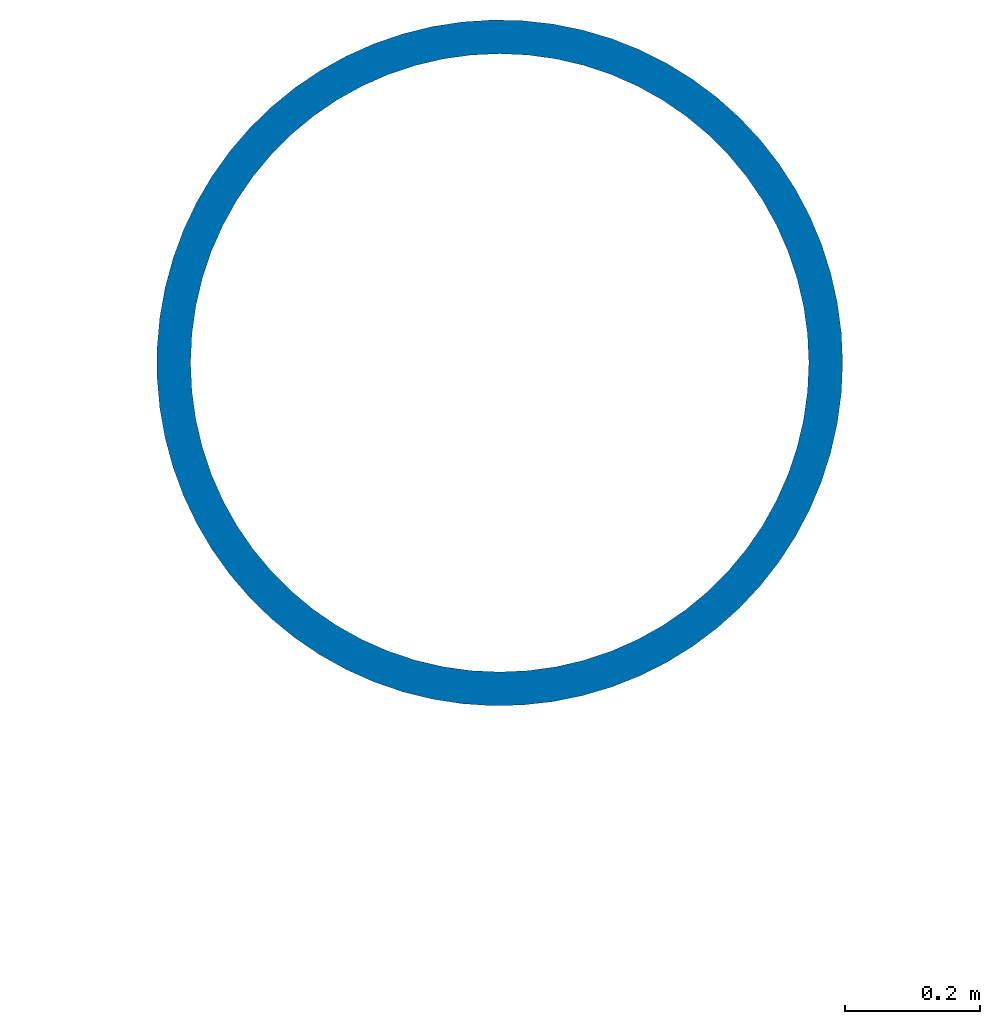
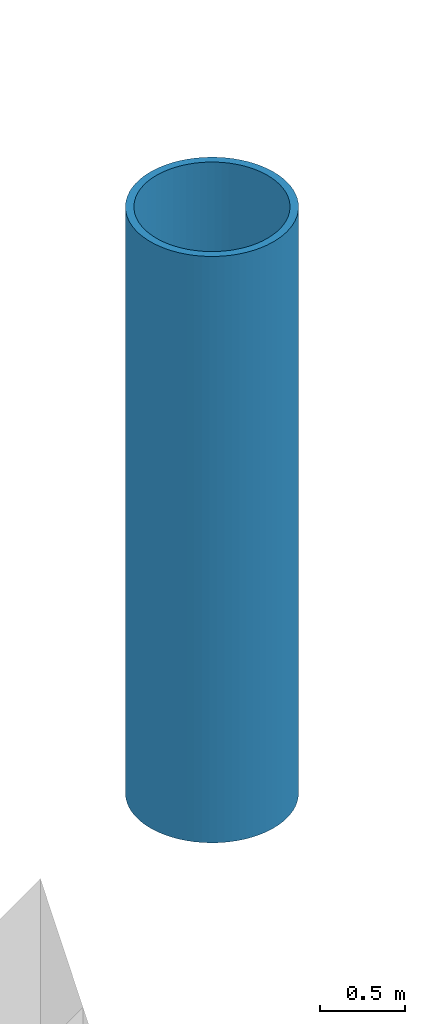
# One storey, part 10 of 96: 1 column.
"""IFC4 building model written with IfcOpenShell, lengths in metres."""

from ifc_helpers import new_model, si_unit, direction, frame, origin, origin_2d, place, context, subcontext, project, spatial, hollow_circle, extrude, material, material_profile, profile_set, type_object, element, save


model = new_model("IFC4")

# Units and contexts
model_context = context("Model", 3, precision=1e-05, world=origin(), true_north=direction((0.0, 1.0)))
body_context = subcontext(model_context, "Body", "Model", "MODEL_VIEW")
ifc_project = project(units=[si_unit("LENGTHUNIT", "METRE"), si_unit("AREAUNIT", "SQUARE_METRE"), si_unit("VOLUMEUNIT", "CUBIC_METRE"), si_unit("PLANEANGLEUNIT", "RADIAN"), si_unit("MASSUNIT", "GRAM", prefix="KILO")], contexts=[model_context])

# Site, building, storey
site_placement = place(None, origin())
site = spatial("IfcSite", under=ifc_project, at=site_placement, CompositionType="ELEMENT")
building_placement = place(site_placement, origin())
building = spatial("IfcBuilding", under=site, at=building_placement, Name="Cresset Court Congress Hotel", CompositionType="ELEMENT")
storey_placement = place(building_placement, frame((0.0, 0.0, 6.0)))
storey = spatial("IfcBuildingStorey", under=building, at=storey_placement, Name="L01", CompositionType="ELEMENT", Elevation=6.0)

# Column
ifc_material = material(Name="Structural steel Q355B", Category="steel")
ifc_material_profile = material_profile(ifc_material, hollow_circle(Radius=0.508056640625, WallThickness=0.050048828125, at=origin_2d()), Name="CHS1016x50")
ifc_profile_set = profile_set([ifc_material_profile], Name="Structural steel Q355B")
column_type = type_object("IfcColumnType", Name="Mast tube 1016x50", PredefinedType="COLUMN", material=ifc_profile_set)
column_placement = place(storey_placement, frame((120.60009765625, 120.60009765625, 0.0), z_axis=(0.0, 0.0, 1.0), x_axis=(1.0, 0.0, 0.0)))
element("IfcColumn", 1, at=column_placement, inside=storey, type_object=column_type, Name="Mast M3", PredefinedType="COLUMN", context=body_context, shape_type="SweptSolid", body=[
    extrude(hollow_circle(Radius=0.508056640625, WallThickness=0.050048828125, at=origin_2d()), origin(), (0.0, 0.0, 1.0), 4.199951171875),
])

save(model, "model.ifc")
